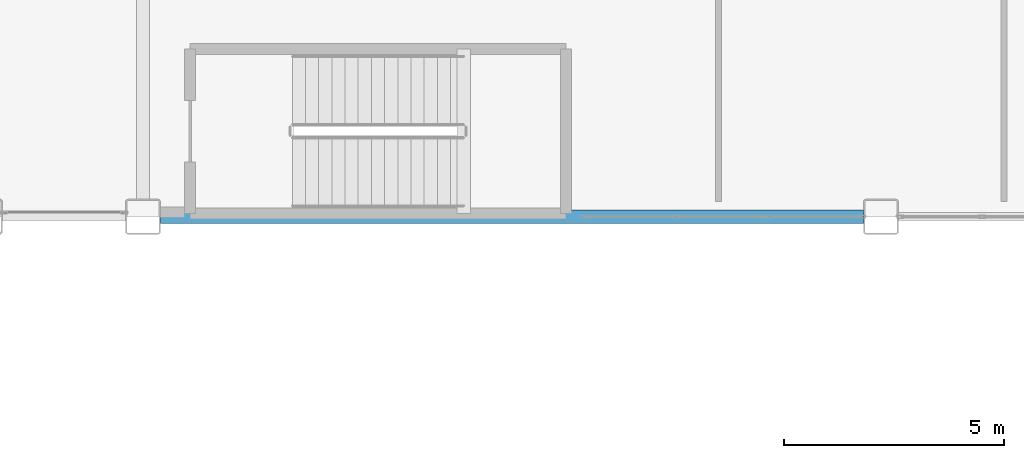
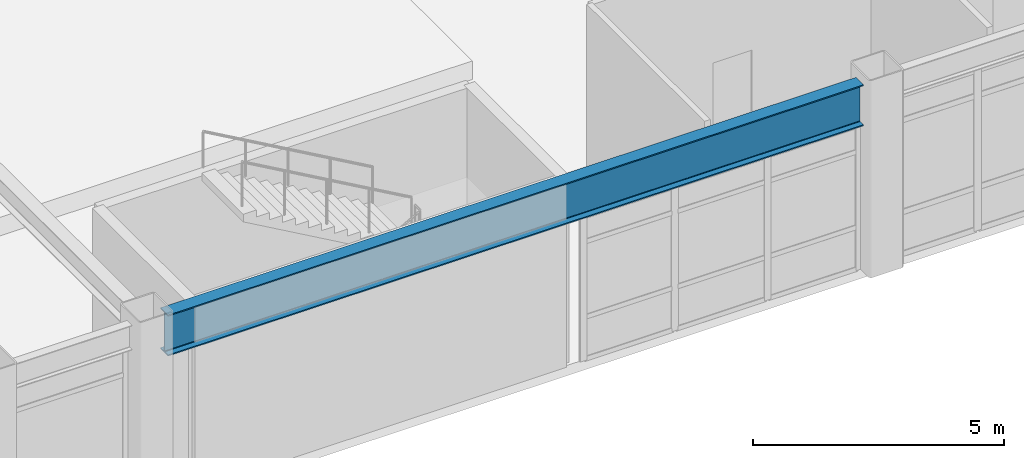
# One storey, part 24 of 154: 1 beam.
"""IFC4 building model written with IfcOpenShell, lengths in metres."""

from ifc_helpers import new_model, si_unit, direction, frame, origin, origin_2d, place, context, subcontext, project, spatial, i_section, extrude, material, material_profile, profile_set, type_object, element, save


model = new_model("IFC4")

# Units and contexts
model_context = context("Model", 3, precision=1e-05, world=origin(), true_north=direction((0.0, 1.0)))
body_context = subcontext(model_context, "Body", "Model", "MODEL_VIEW")
ifc_project = project(units=[si_unit("LENGTHUNIT", "METRE"), si_unit("AREAUNIT", "SQUARE_METRE"), si_unit("VOLUMEUNIT", "CUBIC_METRE"), si_unit("PLANEANGLEUNIT", "RADIAN"), si_unit("MASSUNIT", "GRAM", prefix="KILO")], contexts=[model_context])

# Site, building, storey
site_placement = place(None, origin())
site = spatial("IfcSite", under=ifc_project, at=site_placement, CompositionType="ELEMENT")
building_placement = place(site_placement, origin())
building = spatial("IfcBuilding", under=site, at=building_placement, Name="Kazehara Bluff Congress Hotel", CompositionType="ELEMENT")
storey_placement = place(building_placement, frame((0.0, 0.0, 10.199951171875)))
storey = spatial("IfcBuildingStorey", under=building, at=storey_placement, Name="L02", CompositionType="ELEMENT", Elevation=10.199951171875)

# Beam
ifc_material = material(Name="Steel SN490B", Category="steel")
ifc_material_profile = material_profile(ifc_material, i_section(OverallWidth=0.300048828125, OverallDepth=1.0, WebThickness=0.01611328125, FlangeThickness=0.028076171875, FilletRadius=0.02197265625, at=origin_2d()))
ifc_profile_set = profile_set([ifc_material_profile], Name="Steel SN490B")
beam_type = type_object("IfcBeamType", Name="TP-G-09", PredefinedType="BEAM", material=ifc_profile_set)
beam_placement = place(storey_placement, frame((8.800048828125, 48.449951171875, 4.06005859375), z_axis=(1.0, 0.0, 0.0), x_axis=(0.0, 1.0, 0.0)))
element("IfcBeam", 1, at=beam_placement, inside=storey, type_object=beam_type, Name="L02 girder G-09 26", PredefinedType="BEAM", context=body_context, shape_type="SweptSolid", body=[
    extrude(i_section(OverallWidth=0.300048828125, OverallDepth=1.0, WebThickness=0.01611328125, FlangeThickness=0.028076171875, FilletRadius=0.02197265625, at=origin_2d()), origin(), (0.0, 0.0, 1.0), 16.0),
])

save(model, "model.ifc")
